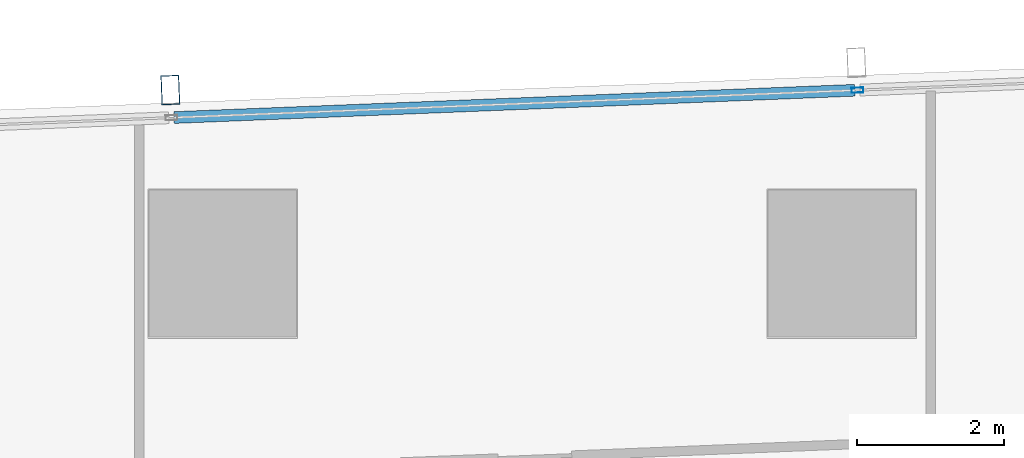
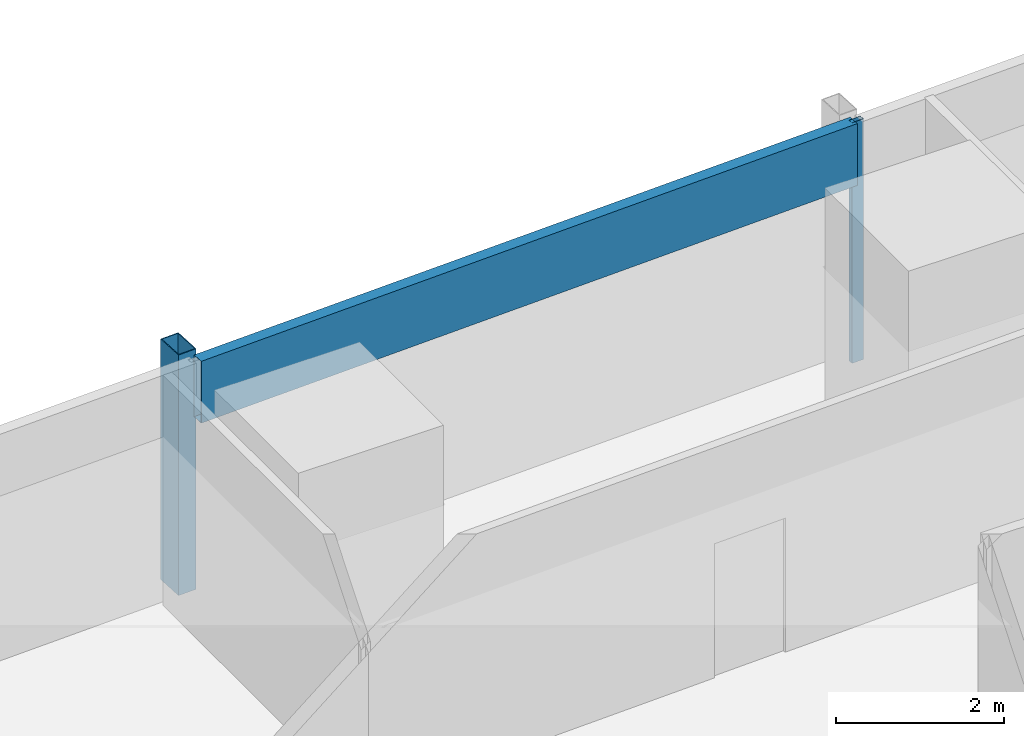
# One storey, part 16 of 39: 3 members, 1 element without a shape of its own.
"""IFC4 building model written with IfcOpenShell, lengths in metres."""

from ifc_helpers import new_model, si_unit, direction, frame, origin, origin_2d, place, context, subcontext, project, spatial, hollow_rectangle, extrude, material, material_profile, profile_set, type_object, element, aggregate, save


model = new_model("IFC4")

# Units and contexts
model_context = context("Model", 3, precision=1e-05, world=origin(), true_north=direction((0.0, 1.0)))
body_context = subcontext(model_context, "Body", "Model", "MODEL_VIEW")
ifc_project = project(units=[si_unit("LENGTHUNIT", "METRE"), si_unit("AREAUNIT", "SQUARE_METRE"), si_unit("VOLUMEUNIT", "CUBIC_METRE"), si_unit("PLANEANGLEUNIT", "RADIAN"), si_unit("MASSUNIT", "GRAM", prefix="KILO")], contexts=[model_context])

# Site, building, storey
site_placement = place(None, origin())
site = spatial("IfcSite", under=ifc_project, at=site_placement, CompositionType="ELEMENT")
building_placement = place(site_placement, origin())
building = spatial("IfcBuilding", under=site, at=building_placement, Name="Rekha Terrace Tower", CompositionType="ELEMENT")
storey_placement = place(building_placement, frame((0.0, 0.0, 151.550048828125)))
storey = spatial("IfcBuildingStorey", under=building, at=storey_placement, Name="L38", CompositionType="ELEMENT", Elevation=151.550048828125)

# Curtain wall, members
ifc_material_1 = material(Name="Aluminium framing", Category="aluminium")
curtain_wall_type = type_object("IfcCurtainWallType", Name="CW3 north unitised glazing", PredefinedType="USERDEFINED", material=ifc_material_1)
curtain_wall_placement = place(storey_placement, origin())
curtain_wall = element("IfcCurtainWall", 1, at=curtain_wall_placement, inside=storey, type_object=curtain_wall_type, Name="CW3 unitised curtain wall", ObjectType="UNITISED CURTAIN WALL", PredefinedType="USERDEFINED")
ifc_material_2 = material(Name="Steel S355 with fluorocarbon finish", Category="steel")
ifc_material_profile_1 = material_profile(ifc_material_2, hollow_rectangle(XDim=0.25, YDim=0.39990234375, WallThickness=0.012451171875, at=origin_2d()), Name="RHS400x250x12.5")
ifc_profile_set_1 = profile_set([ifc_material_profile_1], Name="Steel S355 with fluorocarbon finish")
member_type_1 = type_object("IfcMemberType", Name="BL1 facade blade RHS 400 x 250", PredefinedType="USERDEFINED", material=ifc_profile_set_1)
member_1_placement = place(storey_placement, frame((16.0869140625, 61.1552734375, 0.0), z_axis=(0.0, 0.0, 1.0), x_axis=(-0.999198382632, -0.040032388711, 0.0)))
member_1 = element("IfcMember", 2, at=member_1_placement, type_object=member_type_1, Name="Facade blade", ObjectType="FACADE BLADE", PredefinedType="USERDEFINED", context=body_context, shape_type="SweptSolid", body=[
    extrude(hollow_rectangle(XDim=0.25, YDim=0.39990234375, WallThickness=0.012451171875, at=origin_2d()), origin(), (0.0, 0.0, 1.0), 3.5),
])
ifc_material_3 = material(Name="Aluminium mullion section", Category="aluminium")
ifc_material_profile_2 = material_profile(ifc_material_3, hollow_rectangle(XDim=0.070068359375, YDim=0.159912109375, WallThickness=0.00390625, at=origin_2d()), Name="AL RHS 70x160")
ifc_profile_set_2 = profile_set([ifc_material_profile_2], Name="Aluminium mullion section")
member_type_2 = type_object("IfcMemberType", Name="CW3 mullion RHS 70 x 160", PredefinedType="MULLION", material=ifc_profile_set_2)
member_2_placement = place(storey_placement, frame((25.413818359375, 61.153564453125, 0.0), z_axis=(0.0, 0.0, 1.0), x_axis=(0.040031987119, -0.999198398721, 0.0)))
member_2 = element("IfcMember", 3, at=member_2_placement, type_object=member_type_2, Name="CW3 mullion 3", PredefinedType="MULLION", context=body_context, shape_type="SweptSolid", body=[
    extrude(hollow_rectangle(XDim=0.070068359375, YDim=0.159912109375, WallThickness=0.00390625, at=origin_2d()), origin(), (0.0, 0.0, 1.0), 3.5),
])
ifc_material_4 = material(Name="Insulated aluminium spandrel box", Category="aluminium")
ifc_material_profile_3 = material_profile(ifc_material_4, hollow_rectangle(XDim=0.159912109375, YDim=0.89990234375, WallThickness=0.0029296875, at=origin_2d()), Name="AL SPANDREL BOX 160x900")
ifc_profile_set_3 = profile_set([ifc_material_profile_3], Name="Insulated aluminium spandrel box")
member_type_3 = type_object("IfcMemberType", Name="CW3 spandrel transom 160 x 900", PredefinedType="USERDEFINED", material=ifc_profile_set_3)
member_3_placement = place(storey_placement, frame((25.37890625, 61.152099609375, 3.050048828125), z_axis=(-0.999199102424, -0.040014418831, 0.0), x_axis=(0.040014418831, -0.999199102424, 0.0)))
member_3 = element("IfcMember", 4, at=member_3_placement, type_object=member_type_3, Name="CW3 spandrel transom 3", ObjectType="TRANSOM", PredefinedType="USERDEFINED", context=body_context, shape_type="SweptSolid", body=[
    extrude(hollow_rectangle(XDim=0.159912109375, YDim=0.89990234375, WallThickness=0.0029296875, at=origin_2d()), origin(), (0.0, 0.0, 1.0), 9.24951171875),
])
aggregate(curtain_wall, [member_2, member_3, member_1])

save(model, "model.ifc")
